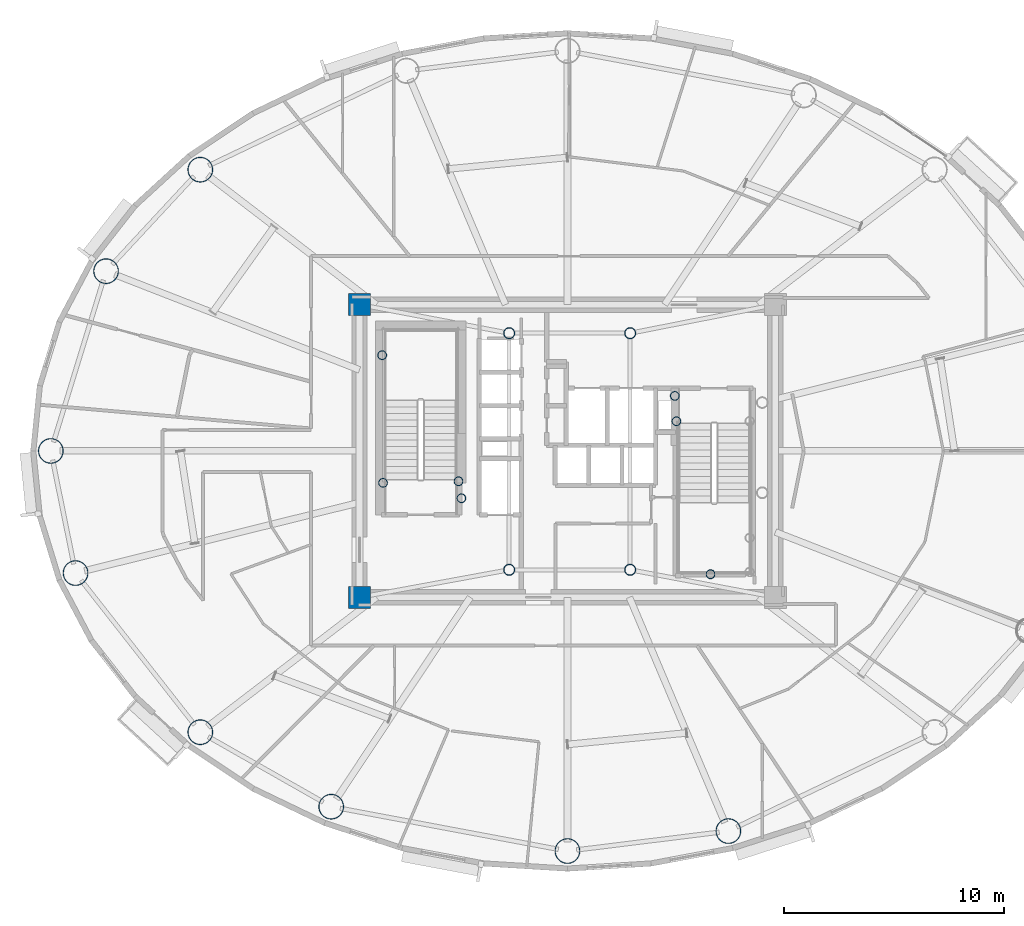
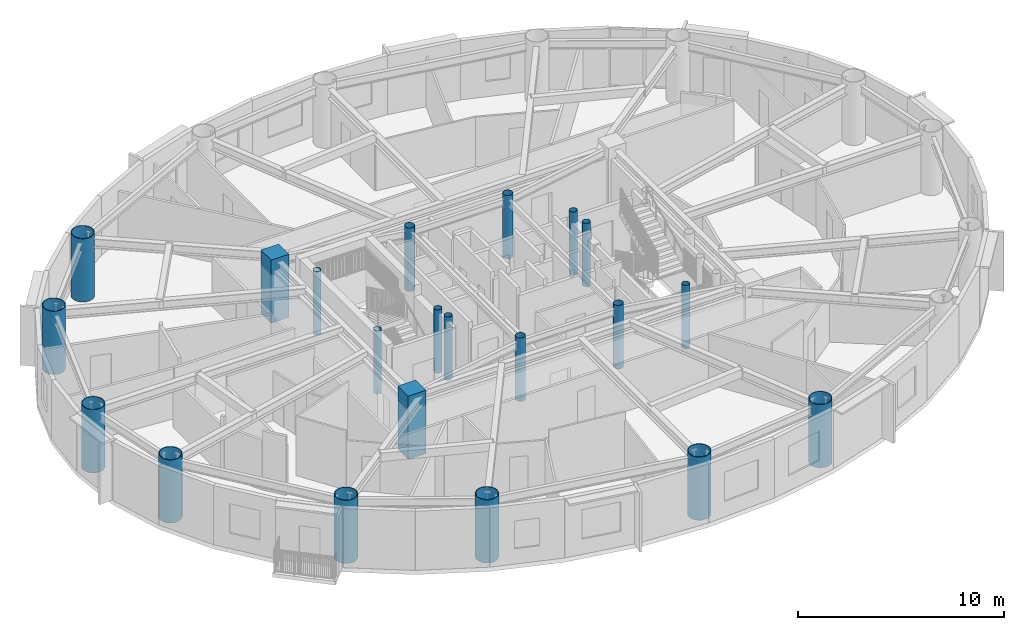
# One storey, part 1 of 19: 21 columns.
"""IFC4 building model written with IfcOpenShell, lengths in metres."""

from ifc_helpers import new_model, si_unit, direction, frame, origin, origin_2d, place, context, subcontext, project, spatial, rectangle, hollow_circle, extrude, material, material_profile, profile_set, type_object, element, save


model = new_model("IFC4")

# Units and contexts
model_context = context("Model", 3, precision=1e-05, world=origin(), true_north=direction((0.0, 1.0)))
body_context = subcontext(model_context, "Body", "Model", "MODEL_VIEW")
ifc_project = project(units=[si_unit("LENGTHUNIT", "METRE"), si_unit("AREAUNIT", "SQUARE_METRE"), si_unit("VOLUMEUNIT", "CUBIC_METRE"), si_unit("PLANEANGLEUNIT", "RADIAN"), si_unit("MASSUNIT", "GRAM", prefix="KILO")], contexts=[model_context])

# Site, building, storey
site_placement = place(None, origin())
site = spatial("IfcSite", under=ifc_project, at=site_placement, CompositionType="ELEMENT")
building_placement = place(site_placement, origin())
building = spatial("IfcBuilding", under=site, at=building_placement, Name="Linh Dai School and Residence Tower", CompositionType="ELEMENT")
storey_placement = place(building_placement, frame((0.0, 0.0, 247.800048828125)))
storey = spatial("IfcBuildingStorey", under=building, at=storey_placement, Name="L61", CompositionType="ELEMENT", Elevation=247.800048828125)

# Columns
ifc_material_1 = material(Name="Concrete B45 (C35/45)", Category="concrete")
ifc_material_profile_1 = material_profile(ifc_material_1, rectangle(XDim=1.0, YDim=1.0, at=origin_2d()), Name="RC 1000x1000")
ifc_profile_set_1 = profile_set([ifc_material_profile_1], Name="Concrete B45 (C35/45)")
column_type_1 = type_object("IfcColumnType", Name="COL-CC3", PredefinedType="COLUMN", material=ifc_profile_set_1)
for number, where, z_axis, x_axis, name in (
    (1, (26.550048828125, 20.35009765625, 0.0), (0.0, 0.0, 1.0), (1.0, 0.0, 0.0), "L61 Core Corner Pier CC1"),
    (2, (26.550048828125, 33.64990234375, 0.0), (0.0, 0.0, 1.0), (1.0, 0.0, 0.0), "L61 Core Corner Pier CC4"),
):
    element("IfcColumn", number, at=place(storey_placement, frame(where, z_axis=z_axis, x_axis=x_axis)), inside=storey, type_object=column_type_1, Name=name, PredefinedType="COLUMN", context=body_context, shape_type="SweptSolid", body=[
        extrude(rectangle(XDim=1.0, YDim=1.0, at=origin_2d()), origin(), (0.0, 0.0, 1.0), 3.75),
    ])
ifc_material_2 = material(Name="Structural Steel S355JR", Category="steel")
ifc_material_profile_2 = material_profile(ifc_material_2, hollow_circle(Radius=0.203125, WallThickness=0.01611328125, at=origin_2d()), Name="CHS 406.4x16")
ifc_profile_set_2 = profile_set([ifc_material_profile_2], Name="Structural Steel S355JR")
column_type_2 = type_object("IfcColumnType", Name="COL-EC", PredefinedType="COLUMN", material=ifc_profile_set_2)
for number, where, z_axis, x_axis, name in (
    (3, (27.580078125, 31.35009765625, 0.0), (0.0, 0.0, 1.0), (1.0, 0.0, 0.0), "L61 Stair Shaft Landing Support Pier ST1NW"),
    (4, (31.050048828125, 25.6201171875, 0.0), (0.0, 0.0, 1.0), (1.0, 0.0, 0.0), "L61 Stair Shaft Landing Support Pier ST1SE"),
    (5, (31.179931640625, 24.85009765625, 0.0), (0.0, 0.0, 1.0), (1.0, 0.0, 0.0), "L61 Stair Shaft Landing Support Pier ST1SM"),
    (6, (27.6201171875, 25.550048828125, 0.0), (0.0, 0.0, 1.0), (1.0, 0.0, 0.0), "L61 Stair Shaft Landing Support Pier ST1SW"),
    (7, (42.5, 21.39990234375, 0.0), (0.0, 0.0, 1.0), (1.0, 0.0, 0.0), "L61 Stair Shaft Landing Support Pier ST2MS"),
    (8, (40.949951171875, 28.35009765625, 0.0), (0.0, 0.0, 1.0), (1.0, 0.0, 0.0), "L61 Stair Shaft Landing Support Pier ST2N1"),
    (9, (40.8798828125, 29.5, 0.0), (0.0, 0.0, 1.0), (1.0, 0.0, 0.0), "L61 Stair Shaft Landing Support Pier ST2N3"),
):
    element("IfcColumn", number, at=place(storey_placement, frame(where, z_axis=z_axis, x_axis=x_axis)), inside=storey, type_object=column_type_2, Name=name, PredefinedType="COLUMN", context=body_context, shape_type="SweptSolid", body=[
        extrude(hollow_circle(Radius=0.203125, WallThickness=0.01611328125, at=origin_2d()), origin(), (0.0, 0.0, 1.0), 3.75),
    ])
ifc_material_profile_3 = material_profile(ifc_material_2, hollow_circle(Radius=0.574951171875, WallThickness=0.035888671875, at=origin_2d()), Name="CHS 1150x36")
ifc_profile_set_3 = profile_set([ifc_material_profile_3], Name="Structural Steel S355JR")
column_type_3 = type_object("IfcColumnType", Name="COL-MC5", PredefinedType="COLUMN", material=ifc_profile_set_3)
for number, where, z_axis, x_axis, name in (
    (10, (19.31689453125, 39.781005859375, 0.0), (0.0, 0.0, 1.0), (1.0, 0.0, 0.0), "L61 Perimeter CFT Mega-Column MC07"),
    (11, (15.03466796875, 35.1689453125, 0.0), (0.0, 0.0, 1.0), (1.0, 0.0, 0.0), "L61 Perimeter CFT Mega-Column MC08"),
    (12, (12.52490234375, 27.0, 0.0), (0.0, 0.0, 1.0), (1.0, 0.0, 0.0), "L61 Perimeter CFT Mega-Column MC09"),
    (13, (13.648681640625, 21.45068359375, 0.0), (0.0, 0.0, 1.0), (1.0, 0.0, 0.0), "L61 Perimeter CFT Mega-Column MC10"),
    (14, (19.31689453125, 14.218994140625, 0.0), (0.0, 0.0, 1.0), (1.0, 0.0, 0.0), "L61 Perimeter CFT Mega-Column MC11"),
    (15, (25.265380859375, 10.83642578125, 0.0), (0.0, 0.0, 1.0), (1.0, 0.0, 0.0), "L61 Perimeter CFT Mega-Column MC12"),
    (16, (36.0, 8.820068359375, 0.0), (0.0, 0.0, 1.0), (1.0, 0.0, 0.0), "L61 Perimeter CFT Mega-Column MC13"),
    (17, (43.31201171875, 9.7265625, 0.0), (0.0, 0.0, 1.0), (1.0, 0.0, 0.0), "L61 Perimeter CFT Mega-Column MC14"),
):
    element("IfcColumn", number, at=place(storey_placement, frame(where, z_axis=z_axis, x_axis=x_axis)), inside=storey, type_object=column_type_3, Name=name, PredefinedType="COLUMN", context=body_context, shape_type="SweptSolid", body=[
        extrude(hollow_circle(Radius=0.574951171875, WallThickness=0.035888671875, at=origin_2d()), origin(), (0.0, 0.0, 1.0), 3.75),
    ])
ifc_material_profile_4 = material_profile(ifc_material_2, hollow_circle(Radius=0.25390625, WallThickness=0.02001953125, at=origin_2d()), Name="CHS 508x20")
ifc_profile_set_4 = profile_set([ifc_material_profile_4], Name="Structural Steel S355JR")
column_type_4 = type_object("IfcColumnType", Name="COL-MCP", PredefinedType="COLUMN", material=ifc_profile_set_4)
for number, where, z_axis, x_axis, name in (
    (18, (33.35009765625, 21.60009765625, 0.0), (0.0, 0.0, 1.0), (1.0, 0.0, 0.0), "L61 Core Mast Support Pier MCP1"),
    (19, (38.85009765625, 21.60009765625, 0.0), (0.0, 0.0, 1.0), (1.0, 0.0, 0.0), "L61 Core Mast Support Pier MCP2"),
    (20, (38.85009765625, 32.35009765625, 0.0), (0.0, 0.0, 1.0), (1.0, 0.0, 0.0), "L61 Core Mast Support Pier MCP3"),
    (21, (33.35009765625, 32.35009765625, 0.0), (0.0, 0.0, 1.0), (1.0, 0.0, 0.0), "L61 Core Mast Support Pier MCP4"),
):
    element("IfcColumn", number, at=place(storey_placement, frame(where, z_axis=z_axis, x_axis=x_axis)), inside=storey, type_object=column_type_4, Name=name, PredefinedType="COLUMN", context=body_context, shape_type="SweptSolid", body=[
        extrude(hollow_circle(Radius=0.25390625, WallThickness=0.02001953125, at=origin_2d()), origin(), (0.0, 0.0, 1.0), 3.75),
    ])

save(model, "model.ifc")
